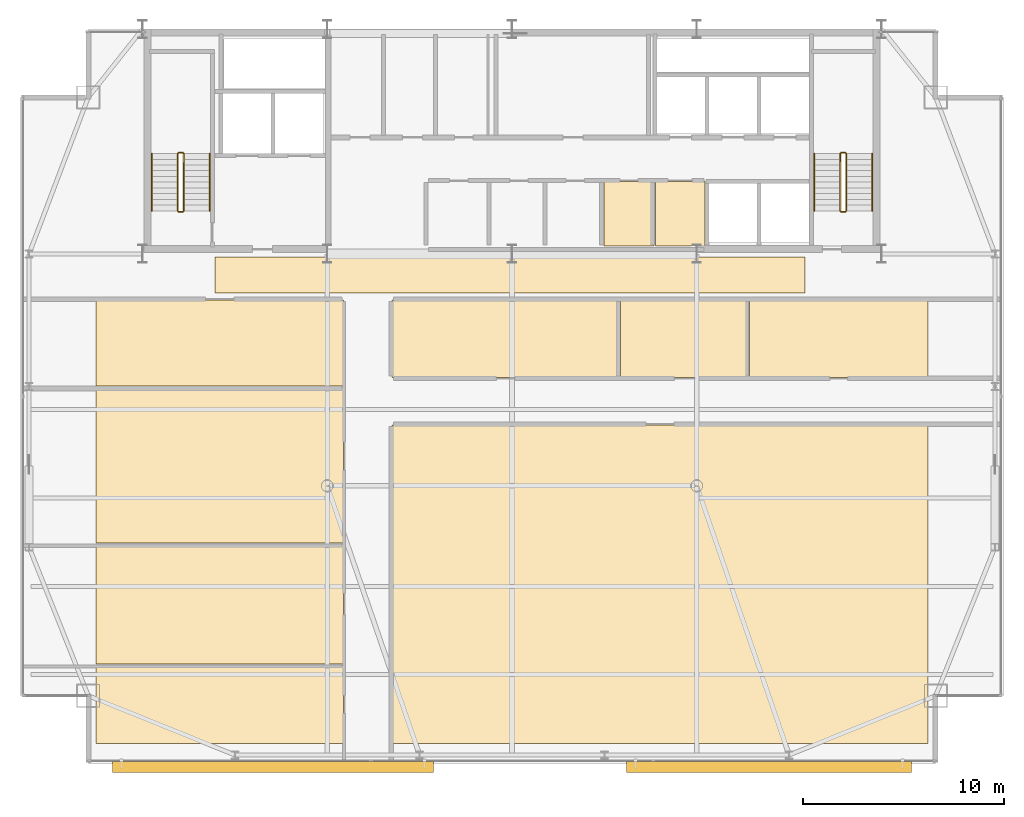
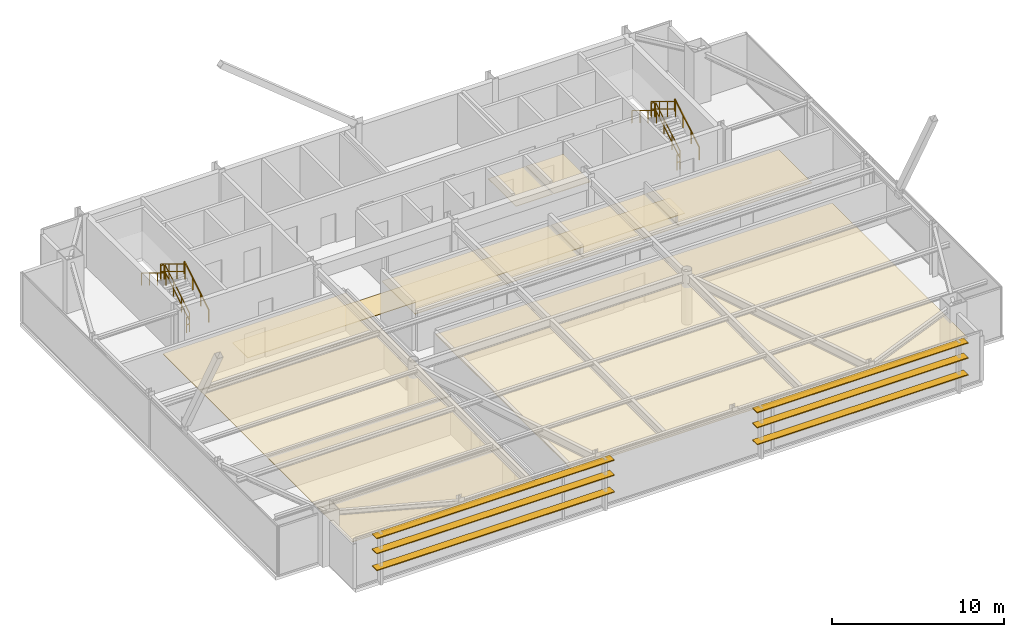
# One storey, part 26 of 26: 12 railings, 11 coverings, 6 shading devices.
"""IFC4 building model written with IfcOpenShell, lengths in metres."""

from ifc_helpers import new_model, si_unit, direction, frame, origin, origin_2d, place, context, subcontext, project, spatial, polyline, rectangle, outline, extrude, source, transform, mapped, material, layer, layer_set, type_object, type_shapes, element, save


model = new_model("IFC4")

# Units and contexts
model_context = context("Model", 3, precision=1e-05, world=origin(), true_north=direction((0.0, 1.0)))
body_context = subcontext(model_context, "Body", "Model", "MODEL_VIEW")
ifc_project = project(units=[si_unit("LENGTHUNIT", "METRE"), si_unit("AREAUNIT", "SQUARE_METRE"), si_unit("VOLUMEUNIT", "CUBIC_METRE"), si_unit("PLANEANGLEUNIT", "RADIAN"), si_unit("MASSUNIT", "GRAM", prefix="KILO")], contexts=[model_context])

# Site, building, storey
site_placement = place(None, origin())
site = spatial("IfcSite", under=ifc_project, at=site_placement, CompositionType="ELEMENT")
building_placement = place(site_placement, origin())
building = spatial("IfcBuilding", under=site, at=building_placement, Name="Varnel Quay Broadcast Tower", CompositionType="ELEMENT")
storey_placement = place(building_placement, frame((0.0, 0.0, 218.800048828125)))
storey = spatial("IfcBuildingStorey", under=building, at=storey_placement, Name="L54", CompositionType="ELEMENT", Elevation=218.800048828125)

# Coverings
ifc_material_1 = material(Name="Micro-Perforated Acoustic Ceiling Tile")
ifc_layer_1 = layer(ifc_material_1, 0.0400390625, Name="Micro-Perforated Acoustic Ceiling Tile")
ifc_layer_set_1 = layer_set([ifc_layer_1], Name="Micro-Perforated Acoustic Ceiling Tile")
covering_type_1 = type_object("IfcCoveringType", Name="Cov_AcousticCeiling", PredefinedType="CEILING", material=ifc_layer_set_1)
covering_1_placement = place(storey_placement, frame((0.0, 0.0, 2.579833984375)))
element("IfcCovering", 1, at=covering_1_placement, inside=storey, type_object=covering_type_1, Name="L54 Cleaners' & Linen Store Acoustic Ceiling", PredefinedType="CEILING", context=body_context, shape_type="SweptSolid", body=[
    extrude(outline(polyline([(38.5849609375, 35.985107421875), (41.06494140625, 35.985107421875), (41.06494140625, 39.215087890625), (38.5849609375, 39.215087890625), (38.5849609375, 35.985107421875)])), origin(), (0.0, 0.0, 1.0), 0.0400390625),
])
covering_2_placement = place(storey_placement, frame((0.0, 0.0, 2.579833984375)))
element("IfcCovering", 2, at=covering_2_placement, inside=storey, type_object=covering_type_1, Name="L54 Telecom IDF Closet Acoustic Ceiling", PredefinedType="CEILING", context=body_context, shape_type="SweptSolid", body=[
    extrude(outline(polyline([(41.135009765625, 35.985107421875), (43.614990234375, 35.985107421875), (43.614990234375, 39.215087890625), (41.135009765625, 39.215087890625), (41.135009765625, 35.985107421875)])), origin(), (0.0, 0.0, 1.0), 0.0400390625),
])
covering_3_placement = place(storey_placement, frame((0.0, 0.0, 2.579833984375)))
element("IfcCovering", 3, at=covering_3_placement, inside=storey, type_object=covering_type_1, Name="L54 Pantry Niche 1 Acoustic Ceiling", PredefinedType="CEILING", context=body_context, shape_type="SweptSolid", body=[
    extrude(outline(polyline([(13.284912109375, 11.22509765625), (25.60498046875, 11.22509765625), (25.60498046875, 15.114990234375), (13.284912109375, 15.114990234375), (13.284912109375, 11.22509765625)])), origin(), (0.0, 0.0, 1.0), 0.0400390625),
])
covering_4_placement = place(storey_placement, frame((0.0, 0.0, 2.579833984375)))
element("IfcCovering", 4, at=covering_4_placement, inside=storey, type_object=covering_type_1, Name="L54 Broadcast Seminar Room 2 Acoustic Ceiling", PredefinedType="CEILING", context=body_context, shape_type="SweptSolid", body=[
    extrude(outline(polyline([(13.284912109375, 15.18505859375), (25.60498046875, 15.18505859375), (25.60498046875, 21.14501953125), (13.284912109375, 21.14501953125), (13.284912109375, 15.18505859375)])), origin(), (0.0, 0.0, 1.0), 0.0400390625),
])
covering_5_placement = place(storey_placement, frame((0.0, 0.0, 2.579833984375)))
element("IfcCovering", 5, at=covering_5_placement, inside=storey, type_object=covering_type_1, Name="L54 Podcast Recording Studio 3 Acoustic Ceiling", PredefinedType="CEILING", context=body_context, shape_type="SweptSolid", body=[
    extrude(outline(polyline([(13.284912109375, 21.215087890625), (25.60498046875, 21.215087890625), (25.60498046875, 28.965087890625), (13.284912109375, 28.965087890625), (13.284912109375, 21.215087890625)])), origin(), (0.0, 0.0, 1.0), 0.0400390625),
])
covering_6_placement = place(storey_placement, frame((0.0, 0.0, 2.579833984375)))
element("IfcCovering", 6, at=covering_6_placement, inside=storey, type_object=covering_type_1, Name="L54 Foley Sound Studio 4 Acoustic Ceiling", PredefinedType="CEILING", context=body_context, shape_type="SweptSolid", body=[
    extrude(outline(polyline([(13.284912109375, 29.034912109375), (25.60498046875, 29.034912109375), (25.60498046875, 33.31494140625), (13.284912109375, 33.31494140625), (13.284912109375, 29.034912109375)])), origin(), (0.0, 0.0, 1.0), 0.0400390625),
])
covering_7_placement = place(storey_placement, frame((0.0, 0.0, 2.579833984375)))
element("IfcCovering", 7, at=covering_7_placement, inside=storey, type_object=covering_type_1, Name="L54 Voice Booth 5 Acoustic Ceiling", PredefinedType="CEILING", context=body_context, shape_type="SweptSolid", body=[
    extrude(outline(polyline([(28.02490234375, 11.22509765625), (54.715087890625, 11.22509765625), (54.715087890625, 27.074951171875), (28.02490234375, 27.074951171875), (28.02490234375, 11.22509765625)])), origin(), (0.0, 0.0, 1.0), 0.0400390625),
])
covering_8_placement = place(storey_placement, frame((0.0, 0.0, 2.579833984375)))
element("IfcCovering", 8, at=covering_8_placement, inside=storey, type_object=covering_type_1, Name="L54 Audio Control Room 6 Acoustic Ceiling", PredefinedType="CEILING", context=body_context, shape_type="SweptSolid", body=[
    extrude(outline(polyline([(28.02490234375, 29.445068359375), (39.344970703125, 29.445068359375), (39.344970703125, 33.31494140625), (28.02490234375, 33.31494140625), (28.02490234375, 29.445068359375)])), origin(), (0.0, 0.0, 1.0), 0.0400390625),
])
covering_9_placement = place(storey_placement, frame((0.0, 0.0, 2.579833984375)))
element("IfcCovering", 9, at=covering_9_placement, inside=storey, type_object=covering_type_1, Name="L54 Talent Lounge 7 Acoustic Ceiling", PredefinedType="CEILING", context=body_context, shape_type="SweptSolid", body=[
    extrude(outline(polyline([(39.4150390625, 29.445068359375), (45.764892578125, 29.445068359375), (45.764892578125, 33.31494140625), (39.4150390625, 33.31494140625), (39.4150390625, 29.445068359375)])), origin(), (0.0, 0.0, 1.0), 0.0400390625),
])
covering_10_placement = place(storey_placement, frame((0.0, 0.0, 2.579833984375)))
element("IfcCovering", 10, at=covering_10_placement, inside=storey, type_object=covering_type_1, Name="L54 Pantry Niche 8 Acoustic Ceiling", PredefinedType="CEILING", context=body_context, shape_type="SweptSolid", body=[
    extrude(outline(polyline([(45.8349609375, 29.445068359375), (54.715087890625, 29.445068359375), (54.715087890625, 33.31494140625), (45.8349609375, 33.31494140625), (45.8349609375, 29.445068359375)])), origin(), (0.0, 0.0, 1.0), 0.0400390625),
])
ifc_material_2 = material(Name="Polished Terrazzo & Broadcast Raised Flooring")
ifc_layer_2 = layer(ifc_material_2, 0.0400390625, Name="Polished Terrazzo & Broadcast Raised Flooring")
ifc_layer_set_2 = layer_set([ifc_layer_2], Name="Polished Terrazzo & Broadcast Raised Flooring")
covering_type_2 = type_object("IfcCoveringType", Name="Cov_TerrazzoFloor", PredefinedType="FLOORING", material=ifc_layer_set_2)
covering_11_placement = place(storey_placement, origin())
element("IfcCovering", 11, at=covering_11_placement, inside=storey, type_object=covering_type_2, Name="L54 Corridor Terrazzo Flooring", PredefinedType="FLOORING", context=body_context, shape_type="SweptSolid", body=[
    extrude(outline(polyline([(19.199951171875, 33.64990234375), (48.60009765625, 33.64990234375), (48.60009765625, 35.449951171875), (19.199951171875, 35.449951171875), (19.199951171875, 33.64990234375)])), origin(), (0.0, 0.0, 1.0), 0.0400390625),
])

# Railings
ifc_material_3 = material(Name="Painted Steel Guard and Handrail CSA G40.21 350W", Category="steel")
railing_type_1 = type_object("IfcRailingType", Name="Rail_StairGuard1100", PredefinedType="GUARDRAIL", material=ifc_material_3)
railing_1_placement = place(storey_placement, frame((17.64990234375, 37.75, 0.172607421875)))
element("IfcRailing", 12, at=railing_1_placement, inside=storey, type_object=railing_type_1, Name="L54 ST-01 stair guard 1", PredefinedType="GUARDRAIL", context=body_context, shape_type="SweptSolid", body=[
    extrude(rectangle(XDim=0.048095703125, YDim=0.048095703125, at=origin_2d()), frame((0.0, 0.0, 1.076171875), z_axis=(0.0, 0.855202751398, 0.518293598264), x_axis=(-1.0, 0.0, 0.0)), (0.0, 0.0, 1.0), 3.332763671875),
    extrude(rectangle(XDim=0.048095703125, YDim=0.048095703125, at=origin_2d()), frame((0.0, 0.0, 0.550048828125), z_axis=(0.0, 0.855202751398, 0.518293598264), x_axis=(-1.0, 0.0, 0.0)), (0.0, 0.0, 1.0), 3.332763671875),
    extrude(rectangle(XDim=0.0419921875, YDim=0.0419921875, at=origin_2d()), origin(), (0.0, 0.0, 1.0), 1.052001953125),
    extrude(rectangle(XDim=0.0419921875, YDim=0.0419921875, at=origin_2d()), frame((0.0, 0.949951171875, 0.57568359375)), (0.0, 0.0, 1.0), 1.052001953125),
    extrude(rectangle(XDim=0.0419921875, YDim=0.0419921875, at=origin_2d()), frame((0.0, 1.900146484375, 1.151611328125)), (0.0, 0.0, 1.0), 1.052001953125),
    extrude(rectangle(XDim=0.0419921875, YDim=0.0419921875, at=origin_2d()), frame((0.0, 2.85009765625, 1.727294921875)), (0.0, 0.0, 1.0), 1.052001953125),
])
railing_2_placement = place(storey_placement, frame((17.60009765625, 40.64990234375, 1.89990234375)))
element("IfcRailing", 13, at=railing_2_placement, inside=storey, type_object=railing_type_1, Name="L54 ST-01 stair guard 2", PredefinedType="GUARDRAIL", context=body_context, shape_type="SweptSolid", body=[
    extrude(rectangle(XDim=0.048095703125, YDim=0.048095703125, at=origin_2d()), frame((0.0, 0.0, 1.076171875), z_axis=(-1.0, 0.0, 0.0), x_axis=(0.0, -1.0, 0.0)), (0.0, 0.0, 1.0), 0.2001953125),
    extrude(rectangle(XDim=0.048095703125, YDim=0.048095703125, at=origin_2d()), frame((0.0, 0.0, 0.550048828125), z_axis=(-1.0, 0.0, 0.0), x_axis=(0.0, -1.0, 0.0)), (0.0, 0.0, 1.0), 0.2001953125),
    extrude(rectangle(XDim=0.0419921875, YDim=0.0419921875, at=origin_2d()), origin(), (0.0, 0.0, 1.0), 1.052001953125),
    extrude(rectangle(XDim=0.0419921875, YDim=0.0419921875, at=origin_2d()), frame((-0.2001953125, 0.0, 0.0)), (0.0, 0.0, 1.0), 1.052001953125),
])
railing_3_placement = place(storey_placement, frame((17.35009765625, 40.60009765625, 2.07275390625)))
element("IfcRailing", 14, at=railing_3_placement, inside=storey, type_object=railing_type_1, Name="L54 ST-01 stair guard 3", PredefinedType="GUARDRAIL", context=body_context, shape_type="SweptSolid", body=[
    extrude(rectangle(XDim=0.048095703125, YDim=0.048095703125, at=origin_2d()), frame((0.0, 0.0, 1.076171875), z_axis=(0.0, -0.855202751398, 0.518293598264), x_axis=(1.0, 0.0, 0.0)), (0.0, 0.0, 1.0), 3.332763671875),
    extrude(rectangle(XDim=0.048095703125, YDim=0.048095703125, at=origin_2d()), frame((0.0, 0.0, 0.550048828125), z_axis=(0.0, -0.855202751398, 0.518293598264), x_axis=(1.0, 0.0, 0.0)), (0.0, 0.0, 1.0), 3.332763671875),
    extrude(rectangle(XDim=0.0419921875, YDim=0.0419921875, at=origin_2d()), origin(), (0.0, 0.0, 1.0), 1.052001953125),
    extrude(rectangle(XDim=0.0419921875, YDim=0.0419921875, at=origin_2d()), frame((0.0, -0.949951171875, 0.57568359375)), (0.0, 0.0, 1.0), 1.052001953125),
    extrude(rectangle(XDim=0.0419921875, YDim=0.0419921875, at=origin_2d()), frame((0.0, -1.900146484375, 1.151611328125)), (0.0, 0.0, 1.0), 1.052001953125),
    extrude(rectangle(XDim=0.0419921875, YDim=0.0419921875, at=origin_2d()), frame((0.0, -2.85009765625, 1.727294921875)), (0.0, 0.0, 1.0), 1.052001953125),
])
railing_4_placement = place(storey_placement, frame((17.60009765625, 37.699951171875, 0.0)))
element("IfcRailing", 15, at=railing_4_placement, inside=storey, type_object=railing_type_1, Name="L54 ST-01 stair guard 4", PredefinedType="GUARDRAIL", context=body_context, shape_type="SweptSolid", body=[
    extrude(rectangle(XDim=0.048095703125, YDim=0.048095703125, at=origin_2d()), frame((0.0, 0.0, 1.076171875), z_axis=(-1.0, 0.0, 0.0), x_axis=(0.0, -1.0, 0.0)), (0.0, 0.0, 1.0), 0.2001953125),
    extrude(rectangle(XDim=0.048095703125, YDim=0.048095703125, at=origin_2d()), frame((0.0, 0.0, 0.550048828125), z_axis=(-1.0, 0.0, 0.0), x_axis=(0.0, -1.0, 0.0)), (0.0, 0.0, 1.0), 0.2001953125),
    extrude(rectangle(XDim=0.0419921875, YDim=0.0419921875, at=origin_2d()), origin(), (0.0, 0.0, 1.0), 1.052001953125),
    extrude(rectangle(XDim=0.0419921875, YDim=0.0419921875, at=origin_2d()), frame((-0.2001953125, 0.0, 0.0)), (0.0, 0.0, 1.0), 1.052001953125),
])
railing_5_placement = place(storey_placement, frame((50.64990234375, 37.75, 0.172607421875)))
element("IfcRailing", 16, at=railing_5_placement, inside=storey, type_object=railing_type_1, Name="L54 ST-02 stair guard 1", PredefinedType="GUARDRAIL", context=body_context, shape_type="SweptSolid", body=[
    extrude(rectangle(XDim=0.048095703125, YDim=0.048095703125, at=origin_2d()), frame((0.0, 0.0, 1.076171875), z_axis=(0.0, 0.855202751398, 0.518293598264), x_axis=(-1.0, 0.0, 0.0)), (0.0, 0.0, 1.0), 3.332763671875),
    extrude(rectangle(XDim=0.048095703125, YDim=0.048095703125, at=origin_2d()), frame((0.0, 0.0, 0.550048828125), z_axis=(0.0, 0.855202751398, 0.518293598264), x_axis=(-1.0, 0.0, 0.0)), (0.0, 0.0, 1.0), 3.332763671875),
    extrude(rectangle(XDim=0.0419921875, YDim=0.0419921875, at=origin_2d()), origin(), (0.0, 0.0, 1.0), 1.052001953125),
    extrude(rectangle(XDim=0.0419921875, YDim=0.0419921875, at=origin_2d()), frame((0.0, 0.949951171875, 0.57568359375)), (0.0, 0.0, 1.0), 1.052001953125),
    extrude(rectangle(XDim=0.0419921875, YDim=0.0419921875, at=origin_2d()), frame((0.0, 1.900146484375, 1.151611328125)), (0.0, 0.0, 1.0), 1.052001953125),
    extrude(rectangle(XDim=0.0419921875, YDim=0.0419921875, at=origin_2d()), frame((0.0, 2.85009765625, 1.727294921875)), (0.0, 0.0, 1.0), 1.052001953125),
])
railing_6_placement = place(storey_placement, frame((50.60009765625, 40.64990234375, 1.89990234375)))
element("IfcRailing", 17, at=railing_6_placement, inside=storey, type_object=railing_type_1, Name="L54 ST-02 stair guard 2", PredefinedType="GUARDRAIL", context=body_context, shape_type="SweptSolid", body=[
    extrude(rectangle(XDim=0.048095703125, YDim=0.048095703125, at=origin_2d()), frame((0.0, 0.0, 1.076171875), z_axis=(-1.0, 0.0, 0.0), x_axis=(0.0, -1.0, 0.0)), (0.0, 0.0, 1.0), 0.2001953125),
    extrude(rectangle(XDim=0.048095703125, YDim=0.048095703125, at=origin_2d()), frame((0.0, 0.0, 0.550048828125), z_axis=(-1.0, 0.0, 0.0), x_axis=(0.0, -1.0, 0.0)), (0.0, 0.0, 1.0), 0.2001953125),
    extrude(rectangle(XDim=0.0419921875, YDim=0.0419921875, at=origin_2d()), origin(), (0.0, 0.0, 1.0), 1.052001953125),
    extrude(rectangle(XDim=0.0419921875, YDim=0.0419921875, at=origin_2d()), frame((-0.2001953125, 0.0, 0.0)), (0.0, 0.0, 1.0), 1.052001953125),
])
railing_7_placement = place(storey_placement, frame((50.35009765625, 40.60009765625, 2.07275390625)))
element("IfcRailing", 18, at=railing_7_placement, inside=storey, type_object=railing_type_1, Name="L54 ST-02 stair guard 3", PredefinedType="GUARDRAIL", context=body_context, shape_type="SweptSolid", body=[
    extrude(rectangle(XDim=0.048095703125, YDim=0.048095703125, at=origin_2d()), frame((0.0, 0.0, 1.076171875), z_axis=(0.0, -0.855202751398, 0.518293598264), x_axis=(1.0, 0.0, 0.0)), (0.0, 0.0, 1.0), 3.332763671875),
    extrude(rectangle(XDim=0.048095703125, YDim=0.048095703125, at=origin_2d()), frame((0.0, 0.0, 0.550048828125), z_axis=(0.0, -0.855202751398, 0.518293598264), x_axis=(1.0, 0.0, 0.0)), (0.0, 0.0, 1.0), 3.332763671875),
    extrude(rectangle(XDim=0.0419921875, YDim=0.0419921875, at=origin_2d()), origin(), (0.0, 0.0, 1.0), 1.052001953125),
    extrude(rectangle(XDim=0.0419921875, YDim=0.0419921875, at=origin_2d()), frame((0.0, -0.949951171875, 0.57568359375)), (0.0, 0.0, 1.0), 1.052001953125),
    extrude(rectangle(XDim=0.0419921875, YDim=0.0419921875, at=origin_2d()), frame((0.0, -1.900146484375, 1.151611328125)), (0.0, 0.0, 1.0), 1.052001953125),
    extrude(rectangle(XDim=0.0419921875, YDim=0.0419921875, at=origin_2d()), frame((0.0, -2.85009765625, 1.727294921875)), (0.0, 0.0, 1.0), 1.052001953125),
])
railing_8_placement = place(storey_placement, frame((50.60009765625, 37.699951171875, 0.0)))
element("IfcRailing", 19, at=railing_8_placement, inside=storey, type_object=railing_type_1, Name="L54 ST-02 stair guard 4", PredefinedType="GUARDRAIL", context=body_context, shape_type="SweptSolid", body=[
    extrude(rectangle(XDim=0.048095703125, YDim=0.048095703125, at=origin_2d()), frame((0.0, 0.0, 1.076171875), z_axis=(-1.0, 0.0, 0.0), x_axis=(0.0, -1.0, 0.0)), (0.0, 0.0, 1.0), 0.2001953125),
    extrude(rectangle(XDim=0.048095703125, YDim=0.048095703125, at=origin_2d()), frame((0.0, 0.0, 0.550048828125), z_axis=(-1.0, 0.0, 0.0), x_axis=(0.0, -1.0, 0.0)), (0.0, 0.0, 1.0), 0.2001953125),
    extrude(rectangle(XDim=0.0419921875, YDim=0.0419921875, at=origin_2d()), origin(), (0.0, 0.0, 1.0), 1.052001953125),
    extrude(rectangle(XDim=0.0419921875, YDim=0.0419921875, at=origin_2d()), frame((-0.2001953125, 0.0, 0.0)), (0.0, 0.0, 1.0), 1.052001953125),
])
railing_type_2 = type_object("IfcRailingType", Name="Rail_StairHandrail900", PredefinedType="HANDRAIL", material=ifc_material_3)
railing_9_placement = place(storey_placement, frame((18.949951171875, 37.75, 0.172607421875)))
element("IfcRailing", 20, at=railing_9_placement, inside=storey, type_object=railing_type_2, Name="L54 ST-01 stair handrail 1", PredefinedType="HANDRAIL", context=body_context, shape_type="SweptSolid", body=[
    extrude(rectangle(XDim=0.048095703125, YDim=0.048095703125, at=origin_2d()), frame((0.0, 0.0, 0.8759765625), z_axis=(0.0, 0.855202751398, 0.518293598264), x_axis=(-1.0, 0.0, 0.0)), (0.0, 0.0, 1.0), 3.332763671875),
    extrude(rectangle(XDim=0.0419921875, YDim=0.0419921875, at=origin_2d()), origin(), (0.0, 0.0, 1.0), 0.851806640625),
    extrude(rectangle(XDim=0.0419921875, YDim=0.0419921875, at=origin_2d()), frame((0.0, 0.949951171875, 0.57568359375)), (0.0, 0.0, 1.0), 0.851806640625),
    extrude(rectangle(XDim=0.0419921875, YDim=0.0419921875, at=origin_2d()), frame((0.0, 1.900146484375, 1.151611328125)), (0.0, 0.0, 1.0), 0.851806640625),
    extrude(rectangle(XDim=0.0419921875, YDim=0.0419921875, at=origin_2d()), frame((0.0, 2.85009765625, 1.727294921875)), (0.0, 0.0, 1.0), 0.851806640625),
])
railing_10_placement = place(storey_placement, frame((16.050048828125, 40.60009765625, 2.07275390625)))
element("IfcRailing", 21, at=railing_10_placement, inside=storey, type_object=railing_type_2, Name="L54 ST-01 stair handrail 2", PredefinedType="HANDRAIL", context=body_context, shape_type="SweptSolid", body=[
    extrude(rectangle(XDim=0.048095703125, YDim=0.048095703125, at=origin_2d()), frame((0.0, 0.0, 0.8759765625), z_axis=(0.0, -0.855202751398, 0.518293598264), x_axis=(1.0, 0.0, 0.0)), (0.0, 0.0, 1.0), 3.332763671875),
    extrude(rectangle(XDim=0.0419921875, YDim=0.0419921875, at=origin_2d()), origin(), (0.0, 0.0, 1.0), 0.851806640625),
    extrude(rectangle(XDim=0.0419921875, YDim=0.0419921875, at=origin_2d()), frame((0.0, -0.949951171875, 0.57568359375)), (0.0, 0.0, 1.0), 0.851806640625),
    extrude(rectangle(XDim=0.0419921875, YDim=0.0419921875, at=origin_2d()), frame((0.0, -1.900146484375, 1.151611328125)), (0.0, 0.0, 1.0), 0.851806640625),
    extrude(rectangle(XDim=0.0419921875, YDim=0.0419921875, at=origin_2d()), frame((0.0, -2.85009765625, 1.727294921875)), (0.0, 0.0, 1.0), 0.851806640625),
])
railing_11_placement = place(storey_placement, frame((51.949951171875, 37.75, 0.172607421875)))
element("IfcRailing", 22, at=railing_11_placement, inside=storey, type_object=railing_type_2, Name="L54 ST-02 stair handrail 1", PredefinedType="HANDRAIL", context=body_context, shape_type="SweptSolid", body=[
    extrude(rectangle(XDim=0.048095703125, YDim=0.048095703125, at=origin_2d()), frame((0.0, 0.0, 0.8759765625), z_axis=(0.0, 0.855202751398, 0.518293598264), x_axis=(-1.0, 0.0, 0.0)), (0.0, 0.0, 1.0), 3.332763671875),
    extrude(rectangle(XDim=0.0419921875, YDim=0.0419921875, at=origin_2d()), origin(), (0.0, 0.0, 1.0), 0.851806640625),
    extrude(rectangle(XDim=0.0419921875, YDim=0.0419921875, at=origin_2d()), frame((0.0, 0.949951171875, 0.57568359375)), (0.0, 0.0, 1.0), 0.851806640625),
    extrude(rectangle(XDim=0.0419921875, YDim=0.0419921875, at=origin_2d()), frame((0.0, 1.900146484375, 1.151611328125)), (0.0, 0.0, 1.0), 0.851806640625),
    extrude(rectangle(XDim=0.0419921875, YDim=0.0419921875, at=origin_2d()), frame((0.0, 2.85009765625, 1.727294921875)), (0.0, 0.0, 1.0), 0.851806640625),
])
railing_12_placement = place(storey_placement, frame((49.050048828125, 40.60009765625, 2.07275390625)))
element("IfcRailing", 23, at=railing_12_placement, inside=storey, type_object=railing_type_2, Name="L54 ST-02 stair handrail 2", PredefinedType="HANDRAIL", context=body_context, shape_type="SweptSolid", body=[
    extrude(rectangle(XDim=0.048095703125, YDim=0.048095703125, at=origin_2d()), frame((0.0, 0.0, 0.8759765625), z_axis=(0.0, -0.855202751398, 0.518293598264), x_axis=(1.0, 0.0, 0.0)), (0.0, 0.0, 1.0), 3.332763671875),
    extrude(rectangle(XDim=0.0419921875, YDim=0.0419921875, at=origin_2d()), origin(), (0.0, 0.0, 1.0), 0.851806640625),
    extrude(rectangle(XDim=0.0419921875, YDim=0.0419921875, at=origin_2d()), frame((0.0, -0.949951171875, 0.57568359375)), (0.0, 0.0, 1.0), 0.851806640625),
    extrude(rectangle(XDim=0.0419921875, YDim=0.0419921875, at=origin_2d()), frame((0.0, -1.900146484375, 1.151611328125)), (0.0, 0.0, 1.0), 0.851806640625),
    extrude(rectangle(XDim=0.0419921875, YDim=0.0419921875, at=origin_2d()), frame((0.0, -2.85009765625, 1.727294921875)), (0.0, 0.0, 1.0), 0.851806640625),
])

# Shading devices
ifc_material_4 = material(Name="Bronze-Terracotta Extruded Ceramic Blade", Category="masonry")
ifc_layer_3 = layer(ifc_material_4, 0.06494140625, Name="Bronze-Terracotta Extruded Ceramic Blade")
ifc_layer_set_3 = layer_set([ifc_layer_3], Name="Bronze-Terracotta Extruded Ceramic Blade")
shading_device_type = type_object("IfcShadingDeviceType", Name="Shade_LouvreBlade550", PredefinedType="JALOUSIE", material=ifc_layer_set_3)
shared_shape_1 = source(origin(), body_context, "Body", "SweptSolid", [
    extrude(rectangle(XDim=15.9951171875, YDim=0.550048828125, at=origin_2d()), origin(), (0.0, 0.0, 1.0), 0.06494140625),
])
for number, where, z_axis, x_axis, name in (
    (24, (22.097900390625, 10.06005859375, 1.117431640625), (0.0, 0.0, 1.0), (1.0, 0.0, 0.0), "L54 Lobe 1 Horizontal Louvre Blade 1"),
    (25, (22.097900390625, 10.06005859375, 2.3173828125), (0.0, 0.0, 1.0), (1.0, 0.0, 0.0), "L54 Lobe 1 Horizontal Louvre Blade 2"),
    (26, (22.097900390625, 10.06005859375, 3.387451171875), (0.0, 0.0, 1.0), (1.0, 0.0, 0.0), "L54 Lobe 1 Horizontal Louvre Blade 3"),
):
    element("IfcShadingDevice", number, at=place(storey_placement, frame(where, z_axis=z_axis, x_axis=x_axis)), inside=storey, type_object=shading_device_type, Name=name, PredefinedType="JALOUSIE", context=body_context, shape_type="MappedRepresentation", body=[
        mapped(shared_shape_1, transform((0.0, 0.0, 0.0), x_axis=(1.0, 0.0, 0.0), y_axis=(0.0, 1.0, 0.0), z_axis=(0.0, 0.0, 1.0), scale=1.0)),
    ])
shared_shape_2 = source(origin(), body_context, "Body", "SweptSolid", [
    extrude(rectangle(XDim=14.205078125, YDim=0.550048828125, at=origin_2d()), origin(), (0.0, 0.0, 1.0), 0.06494140625),
])
type_shapes(shading_device_type, [shared_shape_1, shared_shape_2])
for number, where, z_axis, x_axis, name in (
    (27, (46.797119140625, 10.06005859375, 1.117431640625), (0.0, 0.0, 1.0), (1.0, 0.0, 0.0), "L54 Lobe 2 Horizontal Louvre Blade 1"),
    (28, (46.797119140625, 10.06005859375, 2.3173828125), (0.0, 0.0, 1.0), (1.0, 0.0, 0.0), "L54 Lobe 2 Horizontal Louvre Blade 2"),
    (29, (46.797119140625, 10.06005859375, 3.387451171875), (0.0, 0.0, 1.0), (1.0, 0.0, 0.0), "L54 Lobe 2 Horizontal Louvre Blade 3"),
):
    element("IfcShadingDevice", number, at=place(storey_placement, frame(where, z_axis=z_axis, x_axis=x_axis)), inside=storey, type_object=shading_device_type, Name=name, PredefinedType="JALOUSIE", context=body_context, shape_type="MappedRepresentation", body=[
        mapped(shared_shape_2, transform((0.0, 0.0, 0.0), x_axis=(1.0, 0.0, 0.0), y_axis=(0.0, 1.0, 0.0), z_axis=(0.0, 0.0, 1.0), scale=1.0)),
    ])

save(model, "model.ifc")
